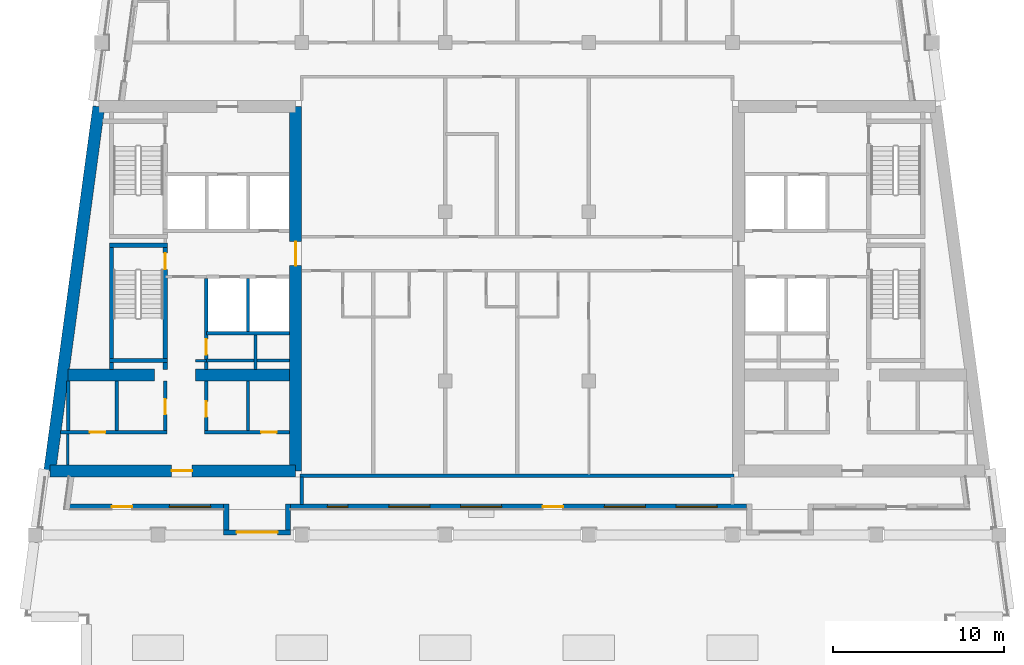
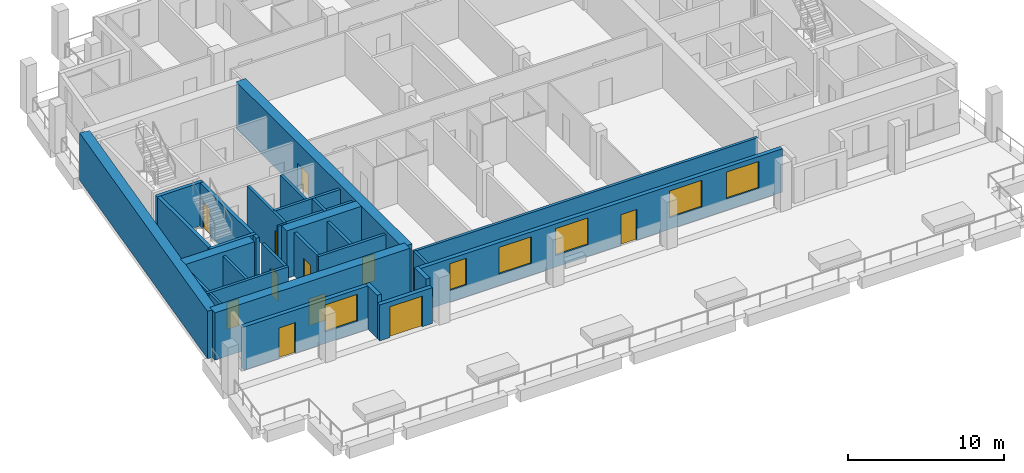
# One storey, part 2 of 12: 30 walls, 11 doors, 6 windows, 17 openings.
"""IFC4 building model written with IfcOpenShell, lengths in metres."""

from ifc_helpers import new_model, si_unit, direction, frame, frame_2d, origin, place, context, subcontext, project, spatial, rectangle, extrude, material, layer, layer_set, type_object, element, fill, save


model = new_model("IFC4")

# Units and contexts
model_context = context("Model", 3, precision=1e-05, world=origin(), true_north=direction((0.0, 1.0)))
body_context = subcontext(model_context, "Body", "Model", "MODEL_VIEW")
ifc_project = project(units=[si_unit("LENGTHUNIT", "METRE"), si_unit("AREAUNIT", "SQUARE_METRE"), si_unit("VOLUMEUNIT", "CUBIC_METRE"), si_unit("PLANEANGLEUNIT", "RADIAN"), si_unit("MASSUNIT", "GRAM", prefix="KILO")], contexts=[model_context])

# Site, building, storey
site_placement = place(None, origin())
site = spatial("IfcSite", under=ifc_project, at=site_placement, CompositionType="ELEMENT")
building_placement = place(site_placement, origin())
building = spatial("IfcBuilding", under=site, at=building_placement, Name="Candeia Pilgrim Tower and Theatre", CompositionType="ELEMENT")
storey_placement = place(building_placement, frame((0.0, 0.0, 259.0)))
storey = spatial("IfcBuildingStorey", under=building, at=storey_placement, Name="L62", CompositionType="ELEMENT", Elevation=259.0)

# Wall, opening, door
ifc_material_1 = material(Name="Concrete C40/50", Category="concrete")
ifc_layer_1 = layer(ifc_material_1, 0.699951171875)
ifc_layer_set_1 = layer_set([ifc_layer_1], Name="Core wall 700 C40/50")
wall_type_1 = type_object("IfcWallType", Name="Core wall 700 C40/50", PredefinedType="SHEAR", material=ifc_layer_set_1)
wall_1_placement = place(storey_placement, frame((100.449951171875, 132.050048828125, 0.0), z_axis=(0.0, 0.0, 1.0), x_axis=(0.0, -1.0, 0.0)))
wall_1 = element("IfcWall", 1, at=wall_1_placement, inside=storey, type_object=wall_type_1, Name="Core wall W2", PredefinedType="SHEAR", context=body_context, shape_type="SweptSolid", body=[
    extrude(rectangle(XDim=21.300048828125, YDim=0.699951171875, at=frame_2d((10.64990234375, 0.0))), origin(), (0.0, 0.0, 1.0), 3.699951171875),
])
opening_1_placement = place(wall_1_placement, frame((7.89990234375, 0.0, 0.0)))
opening_1 = element("IfcOpeningElement", 2, at=opening_1_placement, cuts=wall_1, Name="Opening L62-D045", PredefinedType="OPENING", context=body_context, shape_type="SweptSolid", body=[
    extrude(rectangle(XDim=1.39990234375, YDim=2.10009765625, at=frame_2d((0.699951171875, 1.050048828125))), frame((0.0, 0.35986328125, 0.0), z_axis=(0.0, -1.0, 0.0), x_axis=(1.0, 0.0, 0.0)), (0.0, 0.0, 1.0), 0.719970703125),
])
ifc_material_2 = material(Name="Steel fire door set", Category="steel")
door_type_1 = type_object("IfcDoorType", Name="D-1400-FD60", OperationType="NOTDEFINED", PredefinedType="DOOR", material=ifc_material_2)
door_1_placement = place(opening_1_placement, origin())
door_1 = element("IfcDoor", 3, at=door_1_placement, inside=storey, type_object=door_type_1, Name="Door L62-D045", OperationType="SINGLE_SWING_LEFT", OverallHeight=2.10009765625, OverallWidth=1.39990234375, PredefinedType="DOOR", context=body_context, shape_type="SweptSolid", body=[
    extrude(rectangle(XDim=1.39990234375, YDim=2.10009765625, at=frame_2d((0.699951171875, 1.050048828125))), frame((0.0, 0.02490234375, 0.0), z_axis=(0.0, -1.0, 0.0), x_axis=(1.0, 0.0, 0.0)), (0.0, 0.0, 1.0), 0.050048828125),
])
fill(opening_1, door_1)

wall_2_placement = place(storey_placement, frame((100.449951171875, 110.75, 0.0), z_axis=(0.0, 0.0, 1.0), x_axis=(-1.0, 0.0, 0.0)))
wall_2 = element("IfcWall", 4, at=wall_2_placement, inside=storey, type_object=wall_type_1, Name="Core wall W3", PredefinedType="SHEAR", context=body_context, shape_type="SweptSolid", body=[
    extrude(rectangle(XDim=14.38037109375, YDim=0.699951171875, at=frame_2d((7.190185546875, 0.0))), origin(), (0.0, 0.0, 1.0), 3.699951171875),
])
opening_2_placement = place(wall_2_placement, frame((6.060302734375, 0.0, 0.0)))
opening_2 = element("IfcOpeningElement", 5, at=opening_2_placement, cuts=wall_2, Name="Opening L62-D042", PredefinedType="OPENING", context=body_context, shape_type="SweptSolid", body=[
    extrude(rectangle(XDim=1.199951171875, YDim=2.10009765625, at=frame_2d((0.60009765625, 1.050048828125))), frame((0.0, 0.35986328125, 0.0), z_axis=(0.0, -1.0, 0.0), x_axis=(1.0, 0.0, 0.0)), (0.0, 0.0, 1.0), 0.719970703125),
])
door_type_2 = type_object("IfcDoorType", Name="D-1200-FD60", OperationType="NOTDEFINED", PredefinedType="DOOR", material=ifc_material_2)
door_2_placement = place(opening_2_placement, origin())
door_2 = element("IfcDoor", 6, at=door_2_placement, inside=storey, type_object=door_type_2, Name="Door L62-D042", OperationType="SINGLE_SWING_RIGHT", OverallHeight=2.10009765625, OverallWidth=1.199951171875, PredefinedType="DOOR", context=body_context, shape_type="SweptSolid", body=[
    extrude(rectangle(XDim=1.199951171875, YDim=2.10009765625, at=frame_2d((0.60009765625, 1.050048828125))), frame((0.0, 0.02490234375, 0.0), z_axis=(0.0, -1.0, 0.0), x_axis=(1.0, 0.0, 0.0)), (0.0, 0.0, 1.0), 0.050048828125),
])
fill(opening_2, door_2)

# Walls
wall_3_placement = place(storey_placement, frame((86.069580078125, 110.75, 0.0), z_axis=(0.0, 0.0, 1.0), x_axis=(0.133406218907, 0.991061441464, 0.0)))
element("IfcWall", 7, at=wall_3_placement, inside=storey, type_object=wall_type_1, Name="Core wall W4", PredefinedType="SHEAR", context=body_context, shape_type="SweptSolid", body=[
    extrude(rectangle(XDim=21.4921875, YDim=0.699951171875, at=frame_2d((10.74609375, 0.0))), origin(), (0.0, 0.0, 1.0), 3.699951171875),
])
wall_4_placement = place(storey_placement, frame((87.123046875, 116.35009765625, 0.0), z_axis=(0.0, 0.0, 1.0), x_axis=(1.0, 0.0, 0.0)))
element("IfcWall", 8, at=wall_4_placement, inside=storey, type_object=wall_type_1, Name="Core wall W5", PredefinedType="SHEAR", context=body_context, shape_type="SweptSolid", body=[
    extrude(rectangle(XDim=5.076904296875, YDim=0.699951171875, at=frame_2d((2.53857421875, 0.0))), origin(), (0.0, 0.0, 1.0), 3.699951171875),
])
wall_5_placement = place(storey_placement, frame((94.60009765625, 116.35009765625, 0.0), z_axis=(0.0, 0.0, 1.0), x_axis=(1.0, 0.0, 0.0)))
element("IfcWall", 9, at=wall_5_placement, inside=storey, type_object=wall_type_1, Name="Core wall W6", PredefinedType="SHEAR", context=body_context, shape_type="SweptSolid", body=[
    extrude(rectangle(XDim=5.5, YDim=0.699951171875, at=frame_2d((2.75, 0.0))), origin(), (0.0, 0.0, 1.0), 3.699951171875),
])

# Wall, openings, door, window
ifc_material_3 = material(Name="Ceramic block masonry", Category="masonry")
ifc_layer_2 = layer(ifc_material_3, 0.300048828125)
ifc_layer_set_2 = layer_set([ifc_layer_2], Name="EW1 glazing-line wall 300")
wall_type_2 = type_object("IfcWallType", Name="EW1 glazing-line wall 300", PredefinedType="SOLIDWALL", material=ifc_layer_set_2)
wall_6_placement = place(storey_placement, frame((87.0986328125, 108.64990234375, 0.0), z_axis=(0.0, 0.0, 1.0), x_axis=(1.0, 0.0, 0.0)))
wall_6 = element("IfcWall", 10, at=wall_6_placement, inside=storey, type_object=wall_type_2, Name="External wall L62-1.0", PredefinedType="SOLIDWALL", context=body_context, shape_type="SweptSolid", body=[
    extrude(rectangle(XDim=9.1435546875, YDim=0.300048828125, at=frame_2d((4.57177734375, 0.0))), origin(), (0.0, 0.0, 1.0), 3.3798828125),
])
opening_3_placement = place(wall_6_placement, frame((2.6015625, 0.0, 0.0)))
opening_3 = element("IfcOpeningElement", 11, at=opening_3_placement, cuts=wall_6, Name="Opening L62-ED586", PredefinedType="OPENING", context=body_context, shape_type="SweptSolid", body=[
    extrude(rectangle(XDim=1.199951171875, YDim=2.39990234375, at=frame_2d((0.60009765625, 1.199951171875))), frame((0.0, 0.16015625, 0.0), z_axis=(0.0, -1.0, 0.0), x_axis=(1.0, 0.0, 0.0)), (0.0, 0.0, 1.0), 0.320068359375),
])
opening_4_placement = place(wall_6_placement, frame((5.97265625, 0.0, 0.89990234375)))
opening_4 = element("IfcOpeningElement", 12, at=opening_4_placement, cuts=wall_6, Name="Opening W-A", PredefinedType="OPENING", context=body_context, shape_type="SweptSolid", body=[
    extrude(rectangle(XDim=2.39990234375, YDim=2.10009765625, at=frame_2d((1.199951171875, 1.050048828125))), frame((0.0, 0.16015625, 0.0), z_axis=(0.0, -1.0, 0.0), x_axis=(1.0, 0.0, 0.0)), (0.0, 0.0, 1.0), 0.320068359375),
])
ifc_material_4 = material(Name="Aluminium framed glazed door", Category="aluminium")
door_type_3 = type_object("IfcDoorType", Name="Loggia door 1200x2400", OperationType="DOUBLE_DOOR_SINGLE_SWING", PredefinedType="DOOR", material=ifc_material_4)
door_3_placement = place(opening_3_placement, origin())
door_3 = element("IfcDoor", 13, at=door_3_placement, inside=storey, type_object=door_type_3, Name="Loggia door L62-ED586", OperationType="DOUBLE_DOOR_SINGLE_SWING", OverallHeight=2.39990234375, OverallWidth=1.199951171875, PredefinedType="DOOR", context=body_context, shape_type="SweptSolid", body=[
    extrude(rectangle(XDim=1.199951171875, YDim=2.39990234375, at=frame_2d((0.60009765625, 1.199951171875))), frame((0.0, 0.02490234375, 0.0), z_axis=(0.0, -1.0, 0.0), x_axis=(1.0, 0.0, 0.0)), (0.0, 0.0, 1.0), 0.050048828125),
])
fill(opening_3, door_3)
ifc_material_5 = material(Name="Aluminium framed double glazing", Category="aluminium")
window_type_1 = type_object("IfcWindowType", Name="W-A window 2400x2100", PartitioningType="DOUBLE_PANEL_VERTICAL", PredefinedType="WINDOW", material=ifc_material_5)
window_1_placement = place(opening_4_placement, origin())
window_1 = element("IfcWindow", 14, at=window_1_placement, inside=storey, type_object=window_type_1, Name="Window W-A L62", OverallHeight=2.10009765625, OverallWidth=2.39990234375, PartitioningType="SINGLE_PANEL", PredefinedType="WINDOW", context=body_context, shape_type="SweptSolid", body=[
    extrude(rectangle(XDim=2.39990234375, YDim=2.10009765625, at=frame_2d((1.199951171875, 1.050048828125))), frame((0.0, 0.030029296875, 0.0), z_axis=(0.0, -1.0, 0.0), x_axis=(1.0, 0.0, 0.0)), (0.0, 0.0, 1.0), 0.06005859375),
])
fill(opening_4, window_1)

# Wall, openings, door, windows
wall_7_placement = place(storey_placement, frame((100.14208984375, 108.64990234375, 0.0), z_axis=(0.0, 0.0, 1.0), x_axis=(1.0, 0.0, 0.0)))
wall_7 = element("IfcWall", 15, at=wall_7_placement, inside=storey, type_object=wall_type_2, Name="External wall L62-1.1", PredefinedType="SOLIDWALL", context=body_context, shape_type="SweptSolid", body=[
    extrude(rectangle(XDim=26.687255859375, YDim=0.300048828125, at=frame_2d((13.34375, 0.0))), origin(), (0.0, 0.0, 1.0), 3.3798828125),
])
opening_5_placement = place(wall_7_placement, frame((2.157958984375, 0.0, 0.89990234375)))
opening_5 = element("IfcOpeningElement", 16, at=opening_5_placement, cuts=wall_7, Name="Opening W-B", PredefinedType="OPENING", context=body_context, shape_type="SweptSolid", body=[
    extrude(rectangle(XDim=1.199951171875, YDim=2.10009765625, at=frame_2d((0.60009765625, 1.050048828125))), frame((0.0, 0.16015625, 0.0), z_axis=(0.0, -1.0, 0.0), x_axis=(1.0, 0.0, 0.0)), (0.0, 0.0, 1.0), 0.320068359375),
])
opening_6_placement = place(wall_7_placement, frame((5.7578125, 0.0, 0.89990234375)))
opening_6 = element("IfcOpeningElement", 17, at=opening_6_placement, cuts=wall_7, Name="Opening W-A", PredefinedType="OPENING", context=body_context, shape_type="SweptSolid", body=[
    extrude(rectangle(XDim=2.39990234375, YDim=2.10009765625, at=frame_2d((1.199951171875, 1.050048828125))), frame((0.0, 0.16015625, 0.0), z_axis=(0.0, -1.0, 0.0), x_axis=(1.0, 0.0, 0.0)), (0.0, 0.0, 1.0), 0.320068359375),
])
opening_7_placement = place(wall_7_placement, frame((9.957763671875, 0.0, 0.89990234375)))
opening_7 = element("IfcOpeningElement", 18, at=opening_7_placement, cuts=wall_7, Name="Opening W-A", PredefinedType="OPENING", context=body_context, shape_type="SweptSolid", body=[
    extrude(rectangle(XDim=2.39990234375, YDim=2.10009765625, at=frame_2d((1.199951171875, 1.050048828125))), frame((0.0, 0.16015625, 0.0), z_axis=(0.0, -1.0, 0.0), x_axis=(1.0, 0.0, 0.0)), (0.0, 0.0, 1.0), 0.320068359375),
])
opening_8_placement = place(wall_7_placement, frame((14.7578125, 0.0, 0.0)))
opening_8 = element("IfcOpeningElement", 19, at=opening_8_placement, cuts=wall_7, Name="Opening L62-ED587", PredefinedType="OPENING", context=body_context, shape_type="SweptSolid", body=[
    extrude(rectangle(XDim=1.199951171875, YDim=2.39990234375, at=frame_2d((0.60009765625, 1.199951171875))), frame((0.0, 0.16015625, 0.0), z_axis=(0.0, -1.0, 0.0), x_axis=(1.0, 0.0, 0.0)), (0.0, 0.0, 1.0), 0.320068359375),
])
opening_9_placement = place(wall_7_placement, frame((18.35791015625, 0.0, 0.89990234375)))
opening_9 = element("IfcOpeningElement", 20, at=opening_9_placement, cuts=wall_7, Name="Opening W-A", PredefinedType="OPENING", context=body_context, shape_type="SweptSolid", body=[
    extrude(rectangle(XDim=2.39990234375, YDim=2.10009765625, at=frame_2d((1.199951171875, 1.050048828125))), frame((0.0, 0.16015625, 0.0), z_axis=(0.0, -1.0, 0.0), x_axis=(1.0, 0.0, 0.0)), (0.0, 0.0, 1.0), 0.320068359375),
])
opening_10_placement = place(wall_7_placement, frame((22.557861328125, 0.0, 0.89990234375)))
opening_10 = element("IfcOpeningElement", 21, at=opening_10_placement, cuts=wall_7, Name="Opening W-A", PredefinedType="OPENING", context=body_context, shape_type="SweptSolid", body=[
    extrude(rectangle(XDim=2.39990234375, YDim=2.10009765625, at=frame_2d((1.199951171875, 1.050048828125))), frame((0.0, 0.16015625, 0.0), z_axis=(0.0, -1.0, 0.0), x_axis=(1.0, 0.0, 0.0)), (0.0, 0.0, 1.0), 0.320068359375),
])
door_4_placement = place(opening_8_placement, origin())
door_4 = element("IfcDoor", 22, at=door_4_placement, inside=storey, type_object=door_type_3, Name="Loggia door L62-ED587", OperationType="DOUBLE_DOOR_SINGLE_SWING", OverallHeight=2.39990234375, OverallWidth=1.199951171875, PredefinedType="DOOR", context=body_context, shape_type="SweptSolid", body=[
    extrude(rectangle(XDim=1.199951171875, YDim=2.39990234375, at=frame_2d((0.60009765625, 1.199951171875))), frame((0.0, 0.02490234375, 0.0), z_axis=(0.0, -1.0, 0.0), x_axis=(1.0, 0.0, 0.0)), (0.0, 0.0, 1.0), 0.050048828125),
])
fill(opening_8, door_4)
window_2_placement = place(opening_6_placement, origin())
window_2 = element("IfcWindow", 23, at=window_2_placement, inside=storey, type_object=window_type_1, Name="Window W-A L62", OverallHeight=2.10009765625, OverallWidth=2.39990234375, PartitioningType="SINGLE_PANEL", PredefinedType="WINDOW", context=body_context, shape_type="SweptSolid", body=[
    extrude(rectangle(XDim=2.39990234375, YDim=2.10009765625, at=frame_2d((1.199951171875, 1.050048828125))), frame((0.0, 0.030029296875, 0.0), z_axis=(0.0, -1.0, 0.0), x_axis=(1.0, 0.0, 0.0)), (0.0, 0.0, 1.0), 0.06005859375),
])
fill(opening_6, window_2)
window_3_placement = place(opening_7_placement, origin())
window_3 = element("IfcWindow", 24, at=window_3_placement, inside=storey, type_object=window_type_1, Name="Window W-A L62", OverallHeight=2.10009765625, OverallWidth=2.39990234375, PartitioningType="SINGLE_PANEL", PredefinedType="WINDOW", context=body_context, shape_type="SweptSolid", body=[
    extrude(rectangle(XDim=2.39990234375, YDim=2.10009765625, at=frame_2d((1.199951171875, 1.050048828125))), frame((0.0, 0.030029296875, 0.0), z_axis=(0.0, -1.0, 0.0), x_axis=(1.0, 0.0, 0.0)), (0.0, 0.0, 1.0), 0.06005859375),
])
fill(opening_7, window_3)
window_4_placement = place(opening_9_placement, origin())
window_4 = element("IfcWindow", 25, at=window_4_placement, inside=storey, type_object=window_type_1, Name="Window W-A L62", OverallHeight=2.10009765625, OverallWidth=2.39990234375, PartitioningType="SINGLE_PANEL", PredefinedType="WINDOW", context=body_context, shape_type="SweptSolid", body=[
    extrude(rectangle(XDim=2.39990234375, YDim=2.10009765625, at=frame_2d((1.199951171875, 1.050048828125))), frame((0.0, 0.030029296875, 0.0), z_axis=(0.0, -1.0, 0.0), x_axis=(1.0, 0.0, 0.0)), (0.0, 0.0, 1.0), 0.06005859375),
])
fill(opening_9, window_4)
window_5_placement = place(opening_10_placement, origin())
window_5 = element("IfcWindow", 26, at=window_5_placement, inside=storey, type_object=window_type_1, Name="Window W-A L62", OverallHeight=2.10009765625, OverallWidth=2.39990234375, PartitioningType="SINGLE_PANEL", PredefinedType="WINDOW", context=body_context, shape_type="SweptSolid", body=[
    extrude(rectangle(XDim=2.39990234375, YDim=2.10009765625, at=frame_2d((1.199951171875, 1.050048828125))), frame((0.0, 0.030029296875, 0.0), z_axis=(0.0, -1.0, 0.0), x_axis=(1.0, 0.0, 0.0)), (0.0, 0.0, 1.0), 0.06005859375),
])
fill(opening_10, window_5)
window_type_2 = type_object("IfcWindowType", Name="W-B window 1200x2100", PartitioningType="SINGLE_PANEL", PredefinedType="WINDOW", material=ifc_material_5)
window_6_placement = place(opening_5_placement, origin())
window_6 = element("IfcWindow", 27, at=window_6_placement, inside=storey, type_object=window_type_2, Name="Window W-B L62", OverallHeight=2.10009765625, OverallWidth=1.199951171875, PartitioningType="SINGLE_PANEL", PredefinedType="WINDOW", context=body_context, shape_type="SweptSolid", body=[
    extrude(rectangle(XDim=1.199951171875, YDim=2.10009765625, at=frame_2d((0.60009765625, 1.050048828125))), frame((0.0, 0.030029296875, 0.0), z_axis=(0.0, -1.0, 0.0), x_axis=(1.0, 0.0, 0.0)), (0.0, 0.0, 1.0), 0.06005859375),
])
fill(opening_5, window_6)

# Walls
ifc_layer_3 = layer(ifc_material_3, 0.300048828125)
ifc_layer_set_3 = layer_set([ifc_layer_3], Name="EW2 entrance infill wall 300")
wall_type_3 = type_object("IfcWallType", Name="EW2 entrance infill wall 300", PredefinedType="SOLIDWALL", material=ifc_layer_set_3)
for number, where, z_axis, x_axis, name in (
    (28, (96.39208984375, 108.800048828125, 0.0), (0.0, 0.0, 1.0), (0.0, -1.0, 0.0), "Alcove wall L62"),
    (29, (99.9921875, 108.800048828125, 0.0), (0.0, 0.0, 1.0), (0.0, -1.0, 0.0), "Alcove wall L62"),
):
    element("IfcWall", number, at=place(storey_placement, frame(where, z_axis=z_axis, x_axis=x_axis)), inside=storey, type_object=wall_type_3, Name=name, PredefinedType="SOLIDWALL", context=body_context, shape_type="SweptSolid", body=[
        extrude(rectangle(XDim=1.5, YDim=0.300048828125, at=frame_2d((0.75, 0.0))), origin(), (0.0, 0.0, 1.0), 3.3798828125),
    ])

# Wall, opening, door
wall_8_placement = place(storey_placement, frame((96.2421875, 107.14990234375, 0.0), z_axis=(0.0, 0.0, 1.0), x_axis=(1.0, 0.0, 0.0)))
wall_8 = element("IfcWall", 30, at=wall_8_placement, inside=storey, type_object=wall_type_3, Name="Alcove wall L62", PredefinedType="SOLIDWALL", context=body_context, shape_type="SweptSolid", body=[
    extrude(rectangle(XDim=3.89990234375, YDim=0.300048828125, at=frame_2d((1.949951171875, 0.0))), origin(), (0.0, 0.0, 1.0), 2.800048828125),
])
opening_11_placement = place(wall_8_placement, frame((0.75, 0.0, 0.0)))
opening_11 = element("IfcOpeningElement", 31, at=opening_11_placement, cuts=wall_8, Name="Opening L62-ED589", PredefinedType="OPENING", context=body_context, shape_type="SweptSolid", body=[
    extrude(rectangle(XDim=2.39990234375, YDim=2.39990234375, at=frame_2d((1.199951171875, 1.199951171875))), frame((0.0, 0.16015625, 0.0), z_axis=(0.0, -1.0, 0.0), x_axis=(1.0, 0.0, 0.0)), (0.0, 0.0, 1.0), 0.320068359375),
])
door_type_4 = type_object("IfcDoorType", Name="ED entrance double door 2400x2400", OperationType="DOUBLE_DOOR_DOUBLE_SWING", PredefinedType="DOOR", material=ifc_material_4)
door_5_placement = place(opening_11_placement, origin())
door_5 = element("IfcDoor", 32, at=door_5_placement, inside=storey, type_object=door_type_4, Name="Terrace door L62-ED589", OperationType="DOUBLE_DOOR_DOUBLE_SWING", OverallHeight=2.39990234375, OverallWidth=2.39990234375, PredefinedType="DOOR", context=body_context, shape_type="SweptSolid", body=[
    extrude(rectangle(XDim=2.39990234375, YDim=2.39990234375, at=frame_2d((1.199951171875, 1.199951171875))), frame((0.0, 0.02490234375, 0.0), z_axis=(0.0, -1.0, 0.0), x_axis=(1.0, 0.0, 0.0)), (0.0, 0.0, 1.0), 0.050048828125),
])
fill(opening_11, door_5)

# Walls
ifc_material_6 = material(Name="Gypsum board partition on steel studs", Category="steel")
ifc_layer_4 = layer(ifc_material_6, 0.14990234375)
ifc_layer_set_4 = layer_set([ifc_layer_4], Name="PW-150 lobby wall")
wall_type_4 = type_object("IfcWallType", Name="PW-150 lobby wall", PredefinedType="PARTITIONING", material=ifc_layer_set_4)
wall_9_placement = place(storey_placement, frame((94.60009765625, 117.199951171875, 0.0), z_axis=(0.0, 0.0, 1.0), x_axis=(1.0, 0.0, 0.0)))
element("IfcWall", 33, at=wall_9_placement, inside=storey, type_object=wall_type_4, Name="Lobby wall L62-008", PredefinedType="PARTITIONING", context=body_context, shape_type="SweptSolid", body=[
    extrude(rectangle(XDim=0.626953125, YDim=0.14990234375, at=frame_2d((0.3134765625, 0.0))), origin(), (0.0, 0.0, 1.0), 3.3798828125),
])
wall_10_placement = place(storey_placement, frame((87.126953125, 111.10009765625, 0.0), z_axis=(0.0, 0.0, 1.0), x_axis=(0.0, 1.0, 0.0)))
element("IfcWall", 34, at=wall_10_placement, inside=storey, type_object=wall_type_4, Name="Lobby wall L62-042", PredefinedType="PARTITIONING", context=body_context, shape_type="SweptSolid", body=[
    extrude(rectangle(XDim=1.7998046875, YDim=0.14990234375, at=frame_2d((0.89990234375, 0.0))), origin(), (0.0, 0.0, 1.0), 3.3798828125),
])
ifc_layer_5 = layer(ifc_material_6, 0.199951171875)
ifc_layer_set_5 = layer_set([ifc_layer_5], Name="PW-200 party wall")
wall_type_5 = type_object("IfcWallType", Name="PW-200 party wall", PredefinedType="PARTITIONING", material=ifc_layer_set_5)
wall_11_placement = place(storey_placement, frame((100.699951171875, 110.449951171875, 0.0), z_axis=(0.0, 0.0, 1.0), x_axis=(1.0, 0.0, 0.0)))
element("IfcWall", 35, at=wall_11_placement, inside=storey, type_object=wall_type_5, Name="Party wall L62-001", PredefinedType="PARTITIONING", context=body_context, shape_type="SweptSolid", body=[
    extrude(rectangle(XDim=25.400146484375, YDim=0.199951171875, at=frame_2d((12.7001953125, 0.0))), origin(), (0.0, 0.0, 1.0), 3.3798828125),
])
wall_12_placement = place(storey_placement, frame((100.800048828125, 108.7900390625, 0.0), z_axis=(0.0, 0.0, 1.0), x_axis=(0.0, 1.0, 0.0)))
element("IfcWall", 36, at=wall_12_placement, inside=storey, type_object=wall_type_5, Name="Party wall L62-059", PredefinedType="PARTITIONING", context=body_context, shape_type="SweptSolid", body=[
    extrude(rectangle(XDim=1.60986328125, YDim=0.199951171875, at=frame_2d((0.804931640625, 0.0))), origin(), (0.0, 0.0, 1.0), 3.3798828125),
])

# Wall, opening, door
ifc_layer_6 = layer(ifc_material_1, 0.199951171875)
ifc_layer_set_6 = layer_set([ifc_layer_6], Name="SW-200 shaft wall")
wall_type_6 = type_object("IfcWallType", Name="SW-200 shaft wall", PredefinedType="PARTITIONING", material=ifc_layer_set_6)
wall_13_placement = place(storey_placement, frame((86.695556640625, 113.0, 0.0), z_axis=(0.0, 0.0, 1.0), x_axis=(1.0, 0.0, 0.0)))
wall_13 = element("IfcWall", 37, at=wall_13_placement, inside=storey, type_object=wall_type_6, Name="Shaft wall L62-002", PredefinedType="PARTITIONING", context=body_context, shape_type="SweptSolid", body=[
    extrude(rectangle(XDim=6.2314453125, YDim=0.199951171875, at=frame_2d((3.11572265625, 0.0))), origin(), (0.0, 0.0, 1.0), 3.3798828125),
])
opening_12_placement = place(wall_13_placement, frame((1.719482421875, 0.0, 0.0)))
opening_12 = element("IfcOpeningElement", 38, at=opening_12_placement, cuts=wall_13, Name="Opening L62-D005", PredefinedType="OPENING", context=body_context, shape_type="SweptSolid", body=[
    extrude(rectangle(XDim=0.89990234375, YDim=2.10009765625, at=frame_2d((0.449951171875, 1.050048828125))), frame((0.0, 0.10986328125, 0.0), z_axis=(0.0, -1.0, 0.0), x_axis=(1.0, 0.0, 0.0)), (0.0, 0.0, 1.0), 0.219970703125),
])
door_type_5 = type_object("IfcDoorType", Name="D-900-FD60", OperationType="NOTDEFINED", PredefinedType="DOOR", material=ifc_material_2)
door_6_placement = place(opening_12_placement, origin())
door_6 = element("IfcDoor", 39, at=door_6_placement, inside=storey, type_object=door_type_5, Name="Door L62-D005", OperationType="SINGLE_SWING_LEFT", OverallHeight=2.10009765625, OverallWidth=0.89990234375, PredefinedType="DOOR", context=body_context, shape_type="SweptSolid", body=[
    extrude(rectangle(XDim=0.89990234375, YDim=2.10009765625, at=frame_2d((0.449951171875, 1.050048828125))), frame((0.0, 0.02490234375, 0.0), z_axis=(0.0, -1.0, 0.0), x_axis=(1.0, 0.0, 0.0)), (0.0, 0.0, 1.0), 0.050048828125),
])
fill(opening_12, door_6)

wall_14_placement = place(storey_placement, frame((95.126953125, 113.0, 0.0), z_axis=(0.0, 0.0, 1.0), x_axis=(1.0, 0.0, 0.0)))
wall_14 = element("IfcWall", 40, at=wall_14_placement, inside=storey, type_object=wall_type_6, Name="Shaft wall L62-003", PredefinedType="PARTITIONING", context=body_context, shape_type="SweptSolid", body=[
    extrude(rectangle(XDim=4.97314453125, YDim=0.199951171875, at=frame_2d((2.486572265625, 0.0))), origin(), (0.0, 0.0, 1.0), 3.3798828125),
])
opening_13_placement = place(wall_14_placement, frame((3.304931640625, 0.0, 0.0)))
opening_13 = element("IfcOpeningElement", 41, at=opening_13_placement, cuts=wall_14, Name="Opening L62-D008", PredefinedType="OPENING", context=body_context, shape_type="SweptSolid", body=[
    extrude(rectangle(XDim=0.89990234375, YDim=2.10009765625, at=frame_2d((0.449951171875, 1.050048828125))), frame((0.0, 0.10986328125, 0.0), z_axis=(0.0, -1.0, 0.0), x_axis=(1.0, 0.0, 0.0)), (0.0, 0.0, 1.0), 0.219970703125),
])
door_7_placement = place(opening_13_placement, origin())
door_7 = element("IfcDoor", 42, at=door_7_placement, inside=storey, type_object=door_type_5, Name="Door L62-D008", OperationType="SINGLE_SWING_RIGHT", OverallHeight=2.10009765625, OverallWidth=0.89990234375, PredefinedType="DOOR", context=body_context, shape_type="SweptSolid", body=[
    extrude(rectangle(XDim=0.89990234375, YDim=2.10009765625, at=frame_2d((0.449951171875, 1.050048828125))), frame((0.0, 0.02490234375, 0.0), z_axis=(0.0, -1.0, 0.0), x_axis=(1.0, 0.0, 0.0)), (0.0, 0.0, 1.0), 0.050048828125),
])
fill(opening_13, door_7)

# Walls
for number, where, z_axis, x_axis, name in (
    (43, (95.22705078125, 117.199951171875, 0.0), (0.0, 0.0, 1.0), (1.0, 0.0, 0.0), "Shaft wall L62-006"),
    (44, (95.22705078125, 118.800048828125, 0.0), (0.0, 0.0, 1.0), (1.0, 0.0, 0.0), "Shaft wall L62-012"),
):
    element("IfcWall", number, at=place(storey_placement, frame(where, z_axis=z_axis, x_axis=x_axis)), inside=storey, type_object=wall_type_6, Name=name, PredefinedType="PARTITIONING", context=body_context, shape_type="SweptSolid", body=[
        extrude(rectangle(XDim=4.873046875, YDim=0.199951171875, at=frame_2d((2.4365234375, 0.0))), origin(), (0.0, 0.0, 1.0), 3.3798828125),
    ])
for number, where, z_axis, x_axis, name in (
    (45, (87.1484375, 113.10009765625, 0.0), (0.0, 0.0, 1.0), (0.0, 1.0, 0.0), "Shaft wall L62-041"),
    (46, (89.97705078125, 113.10009765625, 0.0), (0.0, 0.0, 1.0), (0.0, 1.0, 0.0), "Shaft wall L62-045"),
):
    element("IfcWall", number, at=place(storey_placement, frame(where, z_axis=z_axis, x_axis=x_axis)), inside=storey, type_object=wall_type_6, Name=name, PredefinedType="PARTITIONING", context=body_context, shape_type="SweptSolid", body=[
        extrude(rectangle(XDim=2.89990234375, YDim=0.199951171875, at=frame_2d((1.449951171875, 0.0))), origin(), (0.0, 0.0, 1.0), 3.3798828125),
    ])

# Wall, opening, door
wall_15_placement = place(storey_placement, frame((92.826904296875, 113.10009765625, 0.0), z_axis=(0.0, 0.0, 1.0), x_axis=(0.0, 1.0, 0.0)))
wall_15 = element("IfcWall", 47, at=wall_15_placement, inside=storey, type_object=wall_type_6, Name="Shaft wall L62-046", PredefinedType="PARTITIONING", context=body_context, shape_type="SweptSolid", body=[
    extrude(rectangle(XDim=2.89990234375, YDim=0.199951171875, at=frame_2d((1.449951171875, 0.0))), origin(), (0.0, 0.0, 1.0), 3.3798828125),
])
opening_14_placement = place(wall_15_placement, frame((0.949951171875, 0.0, 0.0)))
opening_14 = element("IfcOpeningElement", 48, at=opening_14_placement, cuts=wall_15, Name="Opening L62-D006", PredefinedType="OPENING", context=body_context, shape_type="SweptSolid", body=[
    extrude(rectangle(XDim=0.89990234375, YDim=2.10009765625, at=frame_2d((0.449951171875, 1.050048828125))), frame((0.0, 0.10986328125, 0.0), z_axis=(0.0, -1.0, 0.0), x_axis=(1.0, 0.0, 0.0)), (0.0, 0.0, 1.0), 0.219970703125),
])
door_8_placement = place(opening_14_placement, origin())
door_8 = element("IfcDoor", 49, at=door_8_placement, inside=storey, type_object=door_type_5, Name="Door L62-D006", OperationType="SINGLE_SWING_RIGHT", OverallHeight=2.10009765625, OverallWidth=0.89990234375, PredefinedType="DOOR", context=body_context, shape_type="SweptSolid", body=[
    extrude(rectangle(XDim=0.89990234375, YDim=2.10009765625, at=frame_2d((0.449951171875, 1.050048828125))), frame((0.0, 0.02490234375, 0.0), z_axis=(0.0, -1.0, 0.0), x_axis=(1.0, 0.0, 0.0)), (0.0, 0.0, 1.0), 0.050048828125),
])
fill(opening_14, door_8)

wall_16_placement = place(storey_placement, frame((95.22705078125, 113.10009765625, 0.0), z_axis=(0.0, 0.0, 1.0), x_axis=(0.0, 1.0, 0.0)))
wall_16 = element("IfcWall", 50, at=wall_16_placement, inside=storey, type_object=wall_type_6, Name="Shaft wall L62-051", PredefinedType="PARTITIONING", context=body_context, shape_type="SweptSolid", body=[
    extrude(rectangle(XDim=2.89990234375, YDim=0.199951171875, at=frame_2d((1.449951171875, 0.0))), origin(), (0.0, 0.0, 1.0), 3.3798828125),
])
opening_15_placement = place(wall_16_placement, frame((0.81005859375, 0.0, 0.0)))
opening_15 = element("IfcOpeningElement", 51, at=opening_15_placement, cuts=wall_16, Name="Opening L62-D007", PredefinedType="OPENING", context=body_context, shape_type="SweptSolid", body=[
    extrude(rectangle(XDim=0.89990234375, YDim=2.10009765625, at=frame_2d((0.449951171875, 1.050048828125))), frame((0.0, 0.10986328125, 0.0), z_axis=(0.0, -1.0, 0.0), x_axis=(1.0, 0.0, 0.0)), (0.0, 0.0, 1.0), 0.219970703125),
])
door_9_placement = place(opening_15_placement, origin())
door_9 = element("IfcDoor", 52, at=door_9_placement, inside=storey, type_object=door_type_5, Name="Door L62-D007", OperationType="SINGLE_SWING_LEFT", OverallHeight=2.10009765625, OverallWidth=0.89990234375, PredefinedType="DOOR", context=body_context, shape_type="SweptSolid", body=[
    extrude(rectangle(XDim=0.89990234375, YDim=2.10009765625, at=frame_2d((0.449951171875, 1.050048828125))), frame((0.0, 0.02490234375, 0.0), z_axis=(0.0, -1.0, 0.0), x_axis=(1.0, 0.0, 0.0)), (0.0, 0.0, 1.0), 0.050048828125),
])
fill(opening_15, door_9)

wall_17_placement = place(storey_placement, frame((95.22705078125, 116.669921875, 0.0), z_axis=(0.0, 0.0, 1.0), x_axis=(0.0, 1.0, 0.0)))
wall_17 = element("IfcWall", 53, at=wall_17_placement, inside=storey, type_object=wall_type_6, Name="Shaft wall L62-052", PredefinedType="PARTITIONING", context=body_context, shape_type="SweptSolid", body=[
    extrude(rectangle(XDim=5.330078125, YDim=0.199951171875, at=frame_2d((2.6650390625, 0.0))), origin(), (0.0, 0.0, 1.0), 3.3798828125),
])
opening_16_placement = place(wall_17_placement, frame((0.8798828125, 0.0, 0.0)))
opening_16 = element("IfcOpeningElement", 54, at=opening_16_placement, cuts=wall_17, Name="Opening L62-D004", PredefinedType="OPENING", context=body_context, shape_type="SweptSolid", body=[
    extrude(rectangle(XDim=0.89990234375, YDim=2.10009765625, at=frame_2d((0.449951171875, 1.050048828125))), frame((0.0, 0.10986328125, 0.0), z_axis=(0.0, -1.0, 0.0), x_axis=(1.0, 0.0, 0.0)), (0.0, 0.0, 1.0), 0.219970703125),
])
door_10_placement = place(opening_16_placement, origin())
door_10 = element("IfcDoor", 55, at=door_10_placement, inside=storey, type_object=door_type_5, Name="Door L62-D004", OperationType="SINGLE_SWING_RIGHT", OverallHeight=2.10009765625, OverallWidth=0.89990234375, PredefinedType="DOOR", context=body_context, shape_type="SweptSolid", body=[
    extrude(rectangle(XDim=0.89990234375, YDim=2.10009765625, at=frame_2d((0.449951171875, 1.050048828125))), frame((0.0, 0.02490234375, 0.0), z_axis=(0.0, -1.0, 0.0), x_axis=(1.0, 0.0, 0.0)), (0.0, 0.0, 1.0), 0.050048828125),
])
fill(opening_16, door_10)

# Walls
wall_18_placement = place(storey_placement, frame((97.66357421875, 113.10009765625, 0.0), z_axis=(0.0, 0.0, 1.0), x_axis=(0.0, 1.0, 0.0)))
element("IfcWall", 56, at=wall_18_placement, inside=storey, type_object=wall_type_6, Name="Shaft wall L62-055", PredefinedType="PARTITIONING", context=body_context, shape_type="SweptSolid", body=[
    extrude(rectangle(XDim=2.89990234375, YDim=0.199951171875, at=frame_2d((1.449951171875, 0.0))), origin(), (0.0, 0.0, 1.0), 3.3798828125),
])
wall_19_placement = place(storey_placement, frame((97.66357421875, 118.89990234375, 0.0), z_axis=(0.0, 0.0, 1.0), x_axis=(0.0, 1.0, 0.0)))
element("IfcWall", 57, at=wall_19_placement, inside=storey, type_object=wall_type_6, Name="Shaft wall L62-056", PredefinedType="PARTITIONING", context=body_context, shape_type="SweptSolid", body=[
    extrude(rectangle(XDim=3.10009765625, YDim=0.199951171875, at=frame_2d((1.550048828125, 0.0))), origin(), (0.0, 0.0, 1.0), 3.3798828125),
])
wall_20_placement = place(storey_placement, frame((98.10009765625, 116.669921875, 0.0), z_axis=(0.0, 0.0, 1.0), x_axis=(0.0, 1.0, 0.0)))
element("IfcWall", 58, at=wall_20_placement, inside=storey, type_object=wall_type_6, Name="Shaft wall L62-058", PredefinedType="PARTITIONING", context=body_context, shape_type="SweptSolid", body=[
    extrude(rectangle(XDim=2.030029296875, YDim=0.199951171875, at=frame_2d((1.01513671875, 0.0))), origin(), (0.0, 0.0, 1.0), 3.3798828125),
])
ifc_layer_7 = layer(ifc_material_1, 0.25)
ifc_layer_set_7 = layer_set([ifc_layer_7], Name="SW-250 stair wall")
wall_type_7 = type_object("IfcWallType", Name="SW-250 stair wall", PredefinedType="PARTITIONING", material=ifc_layer_set_7)
for number, where, z_axis, x_axis, name in (
    (59, (89.552001953125, 117.199951171875, 0.0), (0.0, 0.0, 1.0), (1.0, 0.0, 0.0), "Stair wall L62-010"),
    (60, (89.552001953125, 123.949951171875, 0.0), (0.0, 0.0, 1.0), (1.0, 0.0, 0.0), "Stair wall L62-022"),
):
    element("IfcWall", number, at=place(storey_placement, frame(where, z_axis=z_axis, x_axis=x_axis)), inside=storey, type_object=wall_type_7, Name=name, PredefinedType="PARTITIONING", context=body_context, shape_type="SweptSolid", body=[
        extrude(rectangle(XDim=3.39990234375, YDim=0.25, at=frame_2d((1.699951171875, 0.0))), origin(), (0.0, 0.0, 1.0), 3.3798828125),
    ])
wall_21_placement = place(storey_placement, frame((89.677001953125, 116.669921875, 0.0), z_axis=(0.0, 0.0, 1.0), x_axis=(0.0, 1.0, 0.0)))
element("IfcWall", 61, at=wall_21_placement, inside=storey, type_object=wall_type_7, Name="Stair wall L62-043", PredefinedType="PARTITIONING", context=body_context, shape_type="SweptSolid", body=[
    extrude(rectangle(XDim=7.155029296875, YDim=0.25, at=frame_2d((3.57763671875, 0.0))), origin(), (0.0, 0.0, 1.0), 3.3798828125),
])

# Wall, opening, door
wall_22_placement = place(storey_placement, frame((92.826904296875, 116.669921875, 0.0), z_axis=(0.0, 0.0, 1.0), x_axis=(0.0, 1.0, 0.0)))
wall_22 = element("IfcWall", 62, at=wall_22_placement, inside=storey, type_object=wall_type_7, Name="Stair wall L62-048", PredefinedType="PARTITIONING", context=body_context, shape_type="SweptSolid", body=[
    extrude(rectangle(XDim=7.155029296875, YDim=0.25, at=frame_2d((3.57763671875, 0.0))), origin(), (0.0, 0.0, 1.0), 3.3798828125),
])
opening_17_placement = place(wall_22_placement, frame((5.85498046875, 0.0, 0.0)))
opening_17 = element("IfcOpeningElement", 63, at=opening_17_placement, cuts=wall_22, Name="Opening L62-D002", PredefinedType="OPENING", context=body_context, shape_type="SweptSolid", body=[
    extrude(rectangle(XDim=0.949951171875, YDim=2.10009765625, at=frame_2d((0.47509765625, 1.050048828125))), frame((0.0, 0.135009765625, 0.0), z_axis=(0.0, -1.0, 0.0), x_axis=(1.0, 0.0, 0.0)), (0.0, 0.0, 1.0), 0.27001953125),
])
door_type_6 = type_object("IfcDoorType", Name="D-950-FD60", OperationType="NOTDEFINED", PredefinedType="DOOR", material=ifc_material_2)
door_11_placement = place(opening_17_placement, origin())
door_11 = element("IfcDoor", 64, at=door_11_placement, inside=storey, type_object=door_type_6, Name="Door L62-D002", OperationType="SINGLE_SWING_RIGHT", OverallHeight=2.10009765625, OverallWidth=0.949951171875, PredefinedType="DOOR", context=body_context, shape_type="SweptSolid", body=[
    extrude(rectangle(XDim=0.949951171875, YDim=2.10009765625, at=frame_2d((0.47509765625, 1.050048828125))), frame((0.0, 0.02490234375, 0.0), z_axis=(0.0, -1.0, 0.0), x_axis=(1.0, 0.0, 0.0)), (0.0, 0.0, 1.0), 0.050048828125),
])
fill(opening_17, door_11)

save(model, "model.ifc")
